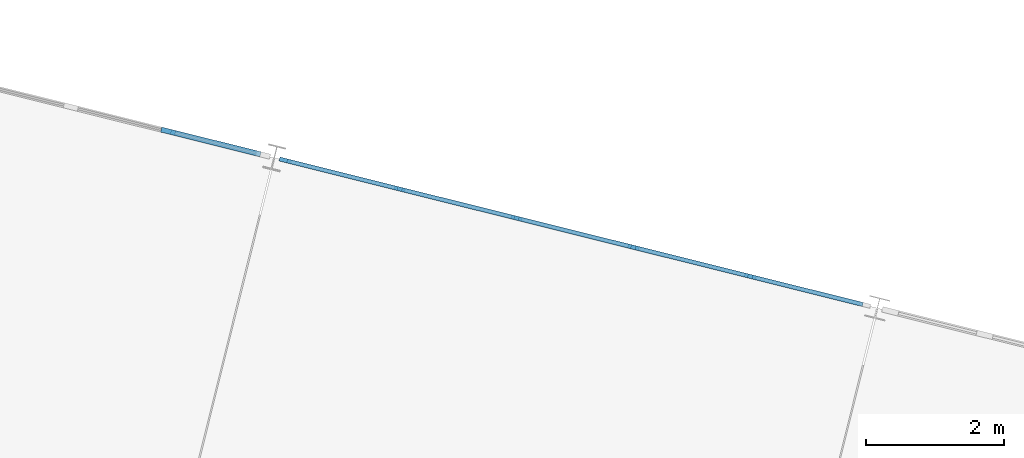
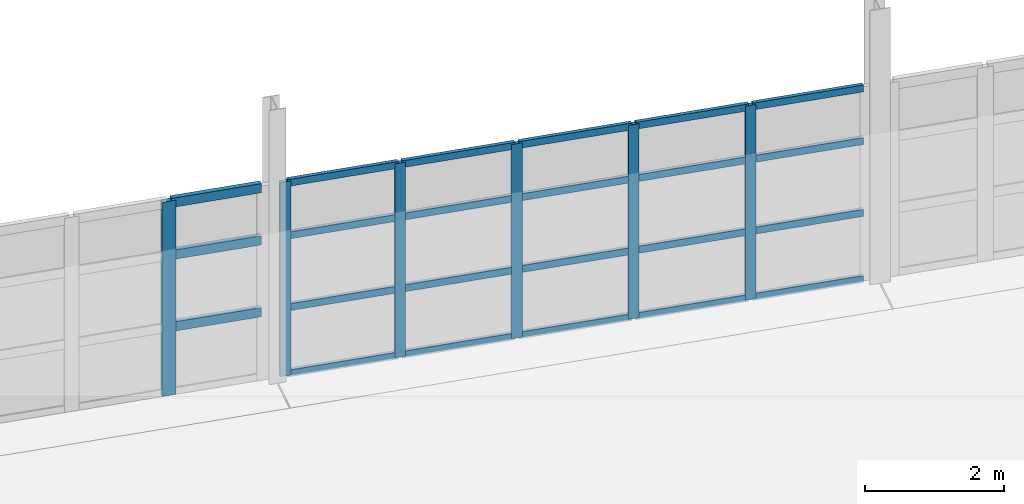
# One storey, part 19 of 59: 29 members, 2 elements without a shape of their own.
"""IFC4 building model written with IfcOpenShell, lengths in metres."""

from ifc_helpers import new_model, si_unit, direction, frame, origin, origin_2d, place, context, subcontext, project, spatial, rectangle, extrude, material, layer, layer_set, material_profile, profile_set, type_object, element, aggregate, save


model = new_model("IFC4")

# Units and contexts
model_context = context("Model", 3, precision=1e-05, world=origin(), true_north=direction((0.0, 1.0)))
body_context = subcontext(model_context, "Body", "Model", "MODEL_VIEW")
ifc_project = project(units=[si_unit("LENGTHUNIT", "METRE"), si_unit("AREAUNIT", "SQUARE_METRE"), si_unit("VOLUMEUNIT", "CUBIC_METRE"), si_unit("PLANEANGLEUNIT", "RADIAN"), si_unit("MASSUNIT", "GRAM", prefix="KILO")], contexts=[model_context])

# Site, building, storey
site_placement = place(None, origin())
site = spatial("IfcSite", under=ifc_project, at=site_placement, CompositionType="ELEMENT")
building_placement = place(site_placement, origin())
building = spatial("IfcBuilding", under=site, at=building_placement, Name="Vireo Bluff Cable Station", CompositionType="ELEMENT")
storey_placement = place(building_placement, frame((0.0, 0.0, 14.39990234375)))
storey = spatial("IfcBuildingStorey", under=building, at=storey_placement, Name="L03", CompositionType="ELEMENT", Elevation=14.39990234375)

# Curtain wall, member
ifc_material = material(Name="Anodized Aluminium 6063-T6", Category="aluminium")
ifc_layer_1 = layer(ifc_material, 0.179931640625, Name="Anodized Aluminium 6063-T6")
ifc_layer_set_1 = layer_set([ifc_layer_1], Name="Anodized Aluminium 6063-T6")
curtain_wall_type_1 = type_object("IfcCurtainWallType", Name="CW-UNIT-1500", PredefinedType="USERDEFINED", material=ifc_layer_set_1)
curtain_wall_1_placement = place(storey_placement, origin())
curtain_wall_1 = element("IfcCurtainWall", 1, at=curtain_wall_1_placement, inside=storey, type_object=curtain_wall_type_1, Name="V1 L03 north curtain wall CW-025", ObjectType="UNITISED CURTAIN WALL", PredefinedType="USERDEFINED")
ifc_material_profile_1 = material_profile(ifc_material, rectangle(XDim=0.074951171875, YDim=0.2099609375, at=origin_2d()), Name="ALU-M-75X210")
ifc_profile_set_1 = profile_set([ifc_material_profile_1], Name="Anodized Aluminium 6063-T6")
member_type_1 = type_object("IfcMemberType", Name="CWM-02", PredefinedType="MULLION", material=ifc_profile_set_1)
member_1_placement = place(storey_placement, frame((93.201904296875, 52.96044921875, 0.0), z_axis=(0.0, 0.0, 1.0), x_axis=(0.241921892467, 0.970295727057, 0.0)))
member_1 = element("IfcMember", 2, at=member_1_placement, type_object=member_type_1, Name="CW-025 mullion 6", PredefinedType="MULLION", context=body_context, shape_type="SweptSolid", body=[
    extrude(rectangle(XDim=0.074951171875, YDim=0.2099609375, at=origin_2d()), origin(), (0.0, 0.0, 1.0), 3.400146484375),
])

# Curtain wall, members
ifc_layer_2 = layer(ifc_material, 0.179931640625, Name="Anodized Aluminium 6063-T6")
ifc_layer_set_2 = layer_set([ifc_layer_2], Name="Anodized Aluminium 6063-T6")
curtain_wall_type_2 = type_object("IfcCurtainWallType", Name="CW-UNIT-1650", PredefinedType="USERDEFINED", material=ifc_layer_set_2)
curtain_wall_2_placement = place(storey_placement, origin())
curtain_wall_2 = element("IfcCurtainWall", 3, at=curtain_wall_2_placement, inside=storey, type_object=curtain_wall_type_2, Name="V1 L03 north curtain wall CW-026", ObjectType="UNITISED CURTAIN WALL", PredefinedType="USERDEFINED")
ifc_material_profile_2 = material_profile(ifc_material, rectangle(XDim=0.06005859375, YDim=0.159912109375, at=origin_2d()), Name="ALU-M-60X160")
ifc_profile_set_2 = profile_set([ifc_material_profile_2], Name="Anodized Aluminium 6063-T6")
member_type_2 = type_object("IfcMemberType", Name="CWM-03", PredefinedType="MULLION", material=ifc_profile_set_2)
member_2_placement = place(storey_placement, frame((94.89111328125, 52.53955078125, 0.0), z_axis=(0.0, 0.0, 1.0), x_axis=(0.241921892467, 0.970295727057, 0.0)))
member_2 = element("IfcMember", 4, at=member_2_placement, type_object=member_type_2, Name="CW-026 mullion 1", PredefinedType="MULLION", context=body_context, shape_type="SweptSolid", body=[
    extrude(rectangle(XDim=0.06005859375, YDim=0.159912109375, at=origin_2d()), origin(), (0.0, 0.0, 1.0), 3.400146484375),
])
member_3_placement = place(storey_placement, frame((96.553466796875, 52.125, 0.0), z_axis=(0.0, 0.0, 1.0), x_axis=(0.241921892467, 0.970295727057, 0.0)))
member_3 = element("IfcMember", 5, at=member_3_placement, type_object=member_type_2, Name="CW-026 mullion 2", PredefinedType="MULLION", context=body_context, shape_type="SweptSolid", body=[
    extrude(rectangle(XDim=0.06005859375, YDim=0.159912109375, at=origin_2d()), origin(), (0.0, 0.0, 1.0), 3.400146484375),
])
member_4_placement = place(storey_placement, frame((98.244873046875, 51.703125, 0.0), z_axis=(0.0, 0.0, 1.0), x_axis=(0.241921892467, 0.970295727057, 0.0)))
member_4 = element("IfcMember", 6, at=member_4_placement, type_object=member_type_2, Name="CW-026 mullion 3", PredefinedType="MULLION", context=body_context, shape_type="SweptSolid", body=[
    extrude(rectangle(XDim=0.06005859375, YDim=0.159912109375, at=origin_2d()), origin(), (0.0, 0.0, 1.0), 3.400146484375),
])
member_5_placement = place(storey_placement, frame((99.9365234375, 51.281494140625, 0.0), z_axis=(0.0, 0.0, 1.0), x_axis=(0.241921892467, 0.970295727057, 0.0)))
member_5 = element("IfcMember", 7, at=member_5_placement, type_object=member_type_2, Name="CW-026 mullion 4", PredefinedType="MULLION", context=body_context, shape_type="SweptSolid", body=[
    extrude(rectangle(XDim=0.06005859375, YDim=0.159912109375, at=origin_2d()), origin(), (0.0, 0.0, 1.0), 3.400146484375),
])
member_6_placement = place(storey_placement, frame((101.6279296875, 50.859619140625, 0.0), z_axis=(0.0, 0.0, 1.0), x_axis=(0.241921892467, 0.970295727057, 0.0)))
member_6 = element("IfcMember", 8, at=member_6_placement, type_object=member_type_2, Name="CW-026 mullion 5", PredefinedType="MULLION", context=body_context, shape_type="SweptSolid", body=[
    extrude(rectangle(XDim=0.06005859375, YDim=0.159912109375, at=origin_2d()), origin(), (0.0, 0.0, 1.0), 3.400146484375),
])

# Member
ifc_material_profile_3 = material_profile(ifc_material, rectangle(XDim=0.074951171875, YDim=0.159912109375, at=origin_2d()), Name="ALU-T-75X160")
ifc_profile_set_3 = profile_set([ifc_material_profile_3], Name="Anodized Aluminium 6063-T6")
member_type_3 = type_object("IfcMemberType", Name="CWT-02", PredefinedType="USERDEFINED", material=ifc_profile_set_3)
member_7_placement = place(storey_placement, frame((93.23828125, 52.951416015625, 1.190185546875), z_axis=(0.970303006066, -0.241892696087, 0.0), x_axis=(0.241892696087, 0.970303006066, 0.0)))
member_7 = element("IfcMember", 9, at=member_7_placement, type_object=member_type_3, Name="CW-025 transom 6.2", ObjectType="TRANSOM", PredefinedType="USERDEFINED", context=body_context, shape_type="SweptSolid", body=[
    extrude(rectangle(XDim=0.074951171875, YDim=0.159912109375, at=origin_2d()), origin(), (0.0, 0.0, 1.0), 1.34033203125),
])

member_8_placement = place(storey_placement, frame((93.23828125, 52.951416015625, 2.447998046875), z_axis=(0.970303006066, -0.241892696087, 0.0), x_axis=(0.241892696087, 0.970303006066, 0.0)))
member_8 = element("IfcMember", 10, at=member_8_placement, type_object=member_type_3, Name="CW-025 transom 6.3", ObjectType="TRANSOM", PredefinedType="USERDEFINED", context=body_context, shape_type="SweptSolid", body=[
    extrude(rectangle(XDim=0.074951171875, YDim=0.159912109375, at=origin_2d()), origin(), (0.0, 0.0, 1.0), 1.34033203125),
])

member_9_placement = place(storey_placement, frame((93.23828125, 52.951416015625, 3.362548828125), z_axis=(0.970303006066, -0.241892696087, 0.0), x_axis=(0.241892696087, 0.970303006066, 0.0)))
member_9 = element("IfcMember", 11, at=member_9_placement, type_object=member_type_3, Name="CW-025 transom 6.4", ObjectType="TRANSOM", PredefinedType="USERDEFINED", context=body_context, shape_type="SweptSolid", body=[
    extrude(rectangle(XDim=0.074951171875, YDim=0.159912109375, at=origin_2d()), origin(), (0.0, 0.0, 1.0), 1.34033203125),
])

aggregate(curtain_wall_1, [member_1, member_7, member_8, member_9])

ifc_material_profile_4 = material_profile(ifc_material, rectangle(XDim=0.06005859375, YDim=0.1201171875, at=origin_2d()), Name="ALU-T-60X120")
ifc_profile_set_4 = profile_set([ifc_material_profile_4], Name="Anodized Aluminium 6063-T6")
member_type_4 = type_object("IfcMemberType", Name="CWT-03", PredefinedType="USERDEFINED", material=ifc_profile_set_4)
member_10_placement = place(storey_placement, frame((94.920166015625, 52.5322265625, 0.030029296875), z_axis=(0.970307312995, -0.241875419066, 0.0), x_axis=(0.241875419066, 0.970307312995, 0.0)))
member_10 = element("IfcMember", 12, at=member_10_placement, type_object=member_type_4, Name="CW-026 transom 1.1", ObjectType="TRANSOM", PredefinedType="USERDEFINED", context=body_context, shape_type="SweptSolid", body=[
    extrude(rectangle(XDim=0.06005859375, YDim=0.1201171875, at=origin_2d()), origin(), (0.0, 0.0, 1.0), 1.6533203125),
])

member_11_placement = place(storey_placement, frame((94.920166015625, 52.5322265625, 1.190185546875), z_axis=(0.970307312995, -0.241875419066, 0.0), x_axis=(0.241875419066, 0.970307312995, 0.0)))
member_11 = element("IfcMember", 13, at=member_11_placement, type_object=member_type_4, Name="CW-026 transom 1.2", ObjectType="TRANSOM", PredefinedType="USERDEFINED", context=body_context, shape_type="SweptSolid", body=[
    extrude(rectangle(XDim=0.06005859375, YDim=0.1201171875, at=origin_2d()), origin(), (0.0, 0.0, 1.0), 1.6533203125),
])

member_12_placement = place(storey_placement, frame((94.920166015625, 52.5322265625, 2.447998046875), z_axis=(0.970307312995, -0.241875419066, 0.0), x_axis=(0.241875419066, 0.970307312995, 0.0)))
member_12 = element("IfcMember", 14, at=member_12_placement, type_object=member_type_4, Name="CW-026 transom 1.3", ObjectType="TRANSOM", PredefinedType="USERDEFINED", context=body_context, shape_type="SweptSolid", body=[
    extrude(rectangle(XDim=0.06005859375, YDim=0.1201171875, at=origin_2d()), origin(), (0.0, 0.0, 1.0), 1.6533203125),
])

member_13_placement = place(storey_placement, frame((94.920166015625, 52.5322265625, 3.3701171875), z_axis=(0.970307312995, -0.241875419066, 0.0), x_axis=(0.241875419066, 0.970307312995, 0.0)))
member_13 = element("IfcMember", 15, at=member_13_placement, type_object=member_type_4, Name="CW-026 transom 1.4", ObjectType="TRANSOM", PredefinedType="USERDEFINED", context=body_context, shape_type="SweptSolid", body=[
    extrude(rectangle(XDim=0.06005859375, YDim=0.1201171875, at=origin_2d()), origin(), (0.0, 0.0, 1.0), 1.6533203125),
])

member_14_placement = place(storey_placement, frame((96.58251953125, 52.11767578125, 0.030029296875), z_axis=(0.970295873999, -0.241921303114, 0.0), x_axis=(0.241921303114, 0.970295873999, 0.0)))
member_14 = element("IfcMember", 16, at=member_14_placement, type_object=member_type_4, Name="CW-026 transom 2.1", ObjectType="TRANSOM", PredefinedType="USERDEFINED", context=body_context, shape_type="SweptSolid", body=[
    extrude(rectangle(XDim=0.06005859375, YDim=0.1201171875, at=origin_2d()), origin(), (0.0, 0.0, 1.0), 1.683349609375),
])

member_15_placement = place(storey_placement, frame((96.58251953125, 52.11767578125, 1.190185546875), z_axis=(0.970295873999, -0.241921303114, 0.0), x_axis=(0.241921303114, 0.970295873999, 0.0)))
member_15 = element("IfcMember", 17, at=member_15_placement, type_object=member_type_4, Name="CW-026 transom 2.2", ObjectType="TRANSOM", PredefinedType="USERDEFINED", context=body_context, shape_type="SweptSolid", body=[
    extrude(rectangle(XDim=0.06005859375, YDim=0.1201171875, at=origin_2d()), origin(), (0.0, 0.0, 1.0), 1.683349609375),
])

member_16_placement = place(storey_placement, frame((96.58251953125, 52.11767578125, 2.447998046875), z_axis=(0.970295873999, -0.241921303114, 0.0), x_axis=(0.241921303114, 0.970295873999, 0.0)))
member_16 = element("IfcMember", 18, at=member_16_placement, type_object=member_type_4, Name="CW-026 transom 2.3", ObjectType="TRANSOM", PredefinedType="USERDEFINED", context=body_context, shape_type="SweptSolid", body=[
    extrude(rectangle(XDim=0.06005859375, YDim=0.1201171875, at=origin_2d()), origin(), (0.0, 0.0, 1.0), 1.683349609375),
])

member_17_placement = place(storey_placement, frame((96.58251953125, 52.11767578125, 3.3701171875), z_axis=(0.970295873999, -0.241921303114, 0.0), x_axis=(0.241921303114, 0.970295873999, 0.0)))
member_17 = element("IfcMember", 19, at=member_17_placement, type_object=member_type_4, Name="CW-026 transom 2.4", ObjectType="TRANSOM", PredefinedType="USERDEFINED", context=body_context, shape_type="SweptSolid", body=[
    extrude(rectangle(XDim=0.06005859375, YDim=0.1201171875, at=origin_2d()), origin(), (0.0, 0.0, 1.0), 1.683349609375),
])

member_18_placement = place(storey_placement, frame((98.274169921875, 51.696044921875, 0.030029296875), z_axis=(0.970295873999, -0.241921303114, 0.0), x_axis=(0.241921303114, 0.970295873999, 0.0)))
member_18 = element("IfcMember", 20, at=member_18_placement, type_object=member_type_4, Name="CW-026 transom 3.1", ObjectType="TRANSOM", PredefinedType="USERDEFINED", context=body_context, shape_type="SweptSolid", body=[
    extrude(rectangle(XDim=0.06005859375, YDim=0.1201171875, at=origin_2d()), origin(), (0.0, 0.0, 1.0), 1.683349609375),
])

member_19_placement = place(storey_placement, frame((98.274169921875, 51.696044921875, 1.190185546875), z_axis=(0.970295873999, -0.241921303114, 0.0), x_axis=(0.241921303114, 0.970295873999, 0.0)))
member_19 = element("IfcMember", 21, at=member_19_placement, type_object=member_type_4, Name="CW-026 transom 3.2", ObjectType="TRANSOM", PredefinedType="USERDEFINED", context=body_context, shape_type="SweptSolid", body=[
    extrude(rectangle(XDim=0.06005859375, YDim=0.1201171875, at=origin_2d()), origin(), (0.0, 0.0, 1.0), 1.683349609375),
])

member_20_placement = place(storey_placement, frame((98.274169921875, 51.696044921875, 2.447998046875), z_axis=(0.970295873999, -0.241921303114, 0.0), x_axis=(0.241921303114, 0.970295873999, 0.0)))
member_20 = element("IfcMember", 22, at=member_20_placement, type_object=member_type_4, Name="CW-026 transom 3.3", ObjectType="TRANSOM", PredefinedType="USERDEFINED", context=body_context, shape_type="SweptSolid", body=[
    extrude(rectangle(XDim=0.06005859375, YDim=0.1201171875, at=origin_2d()), origin(), (0.0, 0.0, 1.0), 1.683349609375),
])

member_21_placement = place(storey_placement, frame((98.274169921875, 51.696044921875, 3.3701171875), z_axis=(0.970295873999, -0.241921303114, 0.0), x_axis=(0.241921303114, 0.970295873999, 0.0)))
member_21 = element("IfcMember", 23, at=member_21_placement, type_object=member_type_4, Name="CW-026 transom 3.4", ObjectType="TRANSOM", PredefinedType="USERDEFINED", context=body_context, shape_type="SweptSolid", body=[
    extrude(rectangle(XDim=0.06005859375, YDim=0.1201171875, at=origin_2d()), origin(), (0.0, 0.0, 1.0), 1.683349609375),
])

member_22_placement = place(storey_placement, frame((99.965576171875, 51.274169921875, 0.030029296875), z_axis=(0.970295873999, -0.241921303114, 0.0), x_axis=(0.241921303114, 0.970295873999, 0.0)))
member_22 = element("IfcMember", 24, at=member_22_placement, type_object=member_type_4, Name="CW-026 transom 4.1", ObjectType="TRANSOM", PredefinedType="USERDEFINED", context=body_context, shape_type="SweptSolid", body=[
    extrude(rectangle(XDim=0.06005859375, YDim=0.1201171875, at=origin_2d()), origin(), (0.0, 0.0, 1.0), 1.683349609375),
])

member_23_placement = place(storey_placement, frame((99.965576171875, 51.274169921875, 1.190185546875), z_axis=(0.970295873999, -0.241921303114, 0.0), x_axis=(0.241921303114, 0.970295873999, 0.0)))
member_23 = element("IfcMember", 25, at=member_23_placement, type_object=member_type_4, Name="CW-026 transom 4.2", ObjectType="TRANSOM", PredefinedType="USERDEFINED", context=body_context, shape_type="SweptSolid", body=[
    extrude(rectangle(XDim=0.06005859375, YDim=0.1201171875, at=origin_2d()), origin(), (0.0, 0.0, 1.0), 1.683349609375),
])

member_24_placement = place(storey_placement, frame((99.965576171875, 51.274169921875, 2.447998046875), z_axis=(0.970295873999, -0.241921303114, 0.0), x_axis=(0.241921303114, 0.970295873999, 0.0)))
member_24 = element("IfcMember", 26, at=member_24_placement, type_object=member_type_4, Name="CW-026 transom 4.3", ObjectType="TRANSOM", PredefinedType="USERDEFINED", context=body_context, shape_type="SweptSolid", body=[
    extrude(rectangle(XDim=0.06005859375, YDim=0.1201171875, at=origin_2d()), origin(), (0.0, 0.0, 1.0), 1.683349609375),
])

member_25_placement = place(storey_placement, frame((99.965576171875, 51.274169921875, 3.3701171875), z_axis=(0.970295873999, -0.241921303114, 0.0), x_axis=(0.241921303114, 0.970295873999, 0.0)))
member_25 = element("IfcMember", 27, at=member_25_placement, type_object=member_type_4, Name="CW-026 transom 4.4", ObjectType="TRANSOM", PredefinedType="USERDEFINED", context=body_context, shape_type="SweptSolid", body=[
    extrude(rectangle(XDim=0.06005859375, YDim=0.1201171875, at=origin_2d()), origin(), (0.0, 0.0, 1.0), 1.683349609375),
])

member_26_placement = place(storey_placement, frame((101.6572265625, 50.8525390625, 0.030029296875), z_axis=(0.970263997798, -0.242049116041, 0.0), x_axis=(0.242049116041, 0.970263997798, 0.0)))
member_26 = element("IfcMember", 28, at=member_26_placement, type_object=member_type_4, Name="CW-026 transom 5.1", ObjectType="TRANSOM", PredefinedType="USERDEFINED", context=body_context, shape_type="SweptSolid", body=[
    extrude(rectangle(XDim=0.06005859375, YDim=0.1201171875, at=origin_2d()), origin(), (0.0, 0.0, 1.0), 1.653076171875),
])

member_27_placement = place(storey_placement, frame((101.6572265625, 50.8525390625, 1.190185546875), z_axis=(0.970263997798, -0.242049116041, 0.0), x_axis=(0.242049116041, 0.970263997798, 0.0)))
member_27 = element("IfcMember", 29, at=member_27_placement, type_object=member_type_4, Name="CW-026 transom 5.2", ObjectType="TRANSOM", PredefinedType="USERDEFINED", context=body_context, shape_type="SweptSolid", body=[
    extrude(rectangle(XDim=0.06005859375, YDim=0.1201171875, at=origin_2d()), origin(), (0.0, 0.0, 1.0), 1.653076171875),
])

member_28_placement = place(storey_placement, frame((101.6572265625, 50.8525390625, 2.447998046875), z_axis=(0.970263997798, -0.242049116041, 0.0), x_axis=(0.242049116041, 0.970263997798, 0.0)))
member_28 = element("IfcMember", 30, at=member_28_placement, type_object=member_type_4, Name="CW-026 transom 5.3", ObjectType="TRANSOM", PredefinedType="USERDEFINED", context=body_context, shape_type="SweptSolid", body=[
    extrude(rectangle(XDim=0.06005859375, YDim=0.1201171875, at=origin_2d()), origin(), (0.0, 0.0, 1.0), 1.653076171875),
])

member_29_placement = place(storey_placement, frame((101.6572265625, 50.8525390625, 3.3701171875), z_axis=(0.970263997798, -0.242049116041, 0.0), x_axis=(0.242049116041, 0.970263997798, 0.0)))
member_29 = element("IfcMember", 31, at=member_29_placement, type_object=member_type_4, Name="CW-026 transom 5.4", ObjectType="TRANSOM", PredefinedType="USERDEFINED", context=body_context, shape_type="SweptSolid", body=[
    extrude(rectangle(XDim=0.06005859375, YDim=0.1201171875, at=origin_2d()), origin(), (0.0, 0.0, 1.0), 1.653076171875),
])

aggregate(curtain_wall_2, [member_2, member_3, member_4, member_5, member_6, member_10, member_11, member_12, member_13, member_14, member_15, member_16, member_17, member_18, member_19, member_20, member_21, member_22, member_23, member_24, member_25, member_26, member_27, member_28, member_29])

save(model, "model.ifc")
